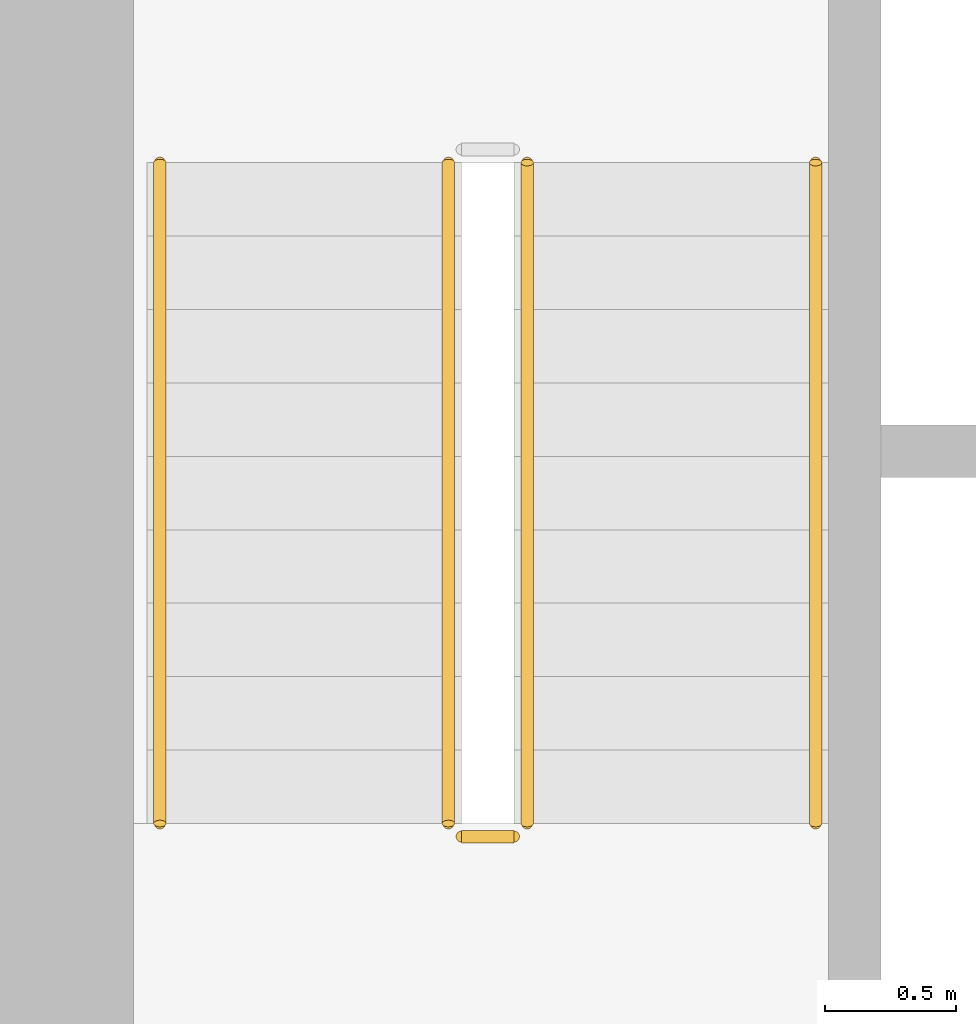
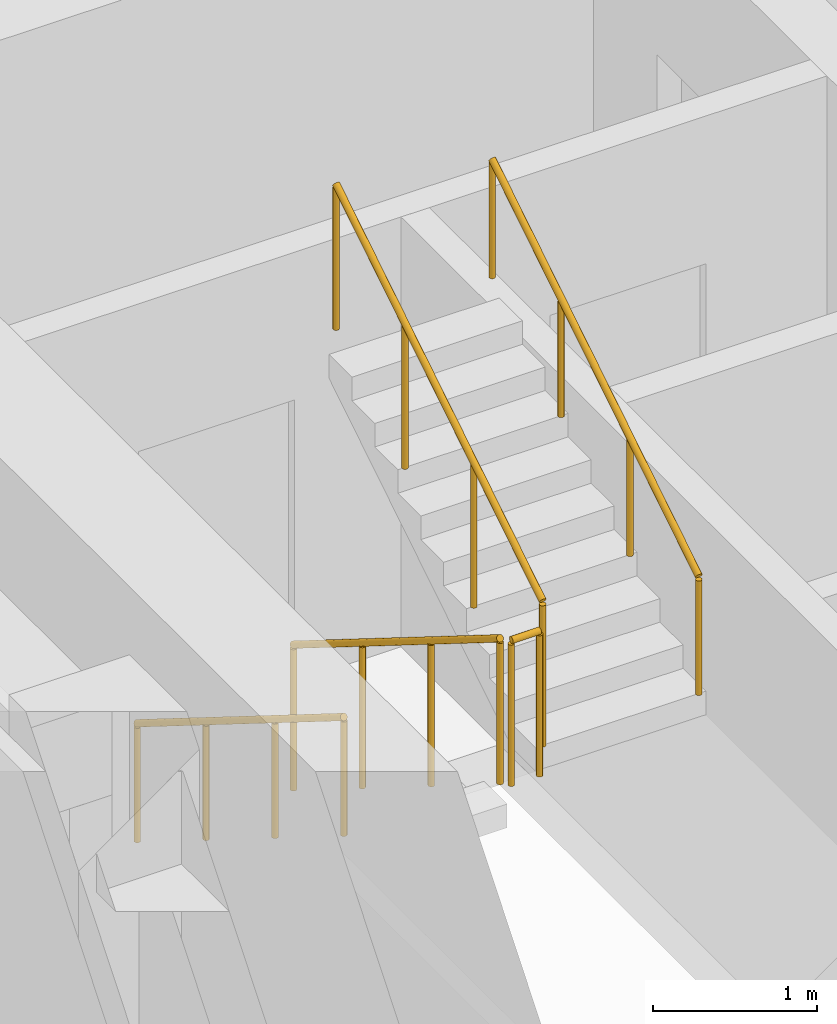
# One storey, part 14 of 21: 5 railings.
"""IFC4 building model written with IfcOpenShell, lengths in metres."""

from ifc_helpers import new_model, si_unit, direction, frame, origin, origin_2d, place, context, subcontext, project, spatial, circle, extrude, material, type_object, element, save


model = new_model("IFC4")

# Units and contexts
model_context = context("Model", 3, precision=1e-05, world=origin(), true_north=direction((0.0, 1.0)))
body_context = subcontext(model_context, "Body", "Model", "MODEL_VIEW")
ifc_project = project(units=[si_unit("LENGTHUNIT", "METRE"), si_unit("AREAUNIT", "SQUARE_METRE"), si_unit("VOLUMEUNIT", "CUBIC_METRE"), si_unit("PLANEANGLEUNIT", "RADIAN"), si_unit("MASSUNIT", "GRAM", prefix="KILO")], contexts=[model_context])

# Site, building, storey
site_placement = place(None, origin())
site = spatial("IfcSite", under=ifc_project, at=site_placement, CompositionType="ELEMENT")
building_placement = place(site_placement, origin())
building = spatial("IfcBuilding", under=site, at=building_placement, Name="Kiln Ring Residences", CompositionType="ELEMENT")
storey_placement = place(building_placement, frame((0.0, 0.0, 223.89990234375)))
storey = spatial("IfcBuildingStorey", under=building, at=storey_placement, Name="L58", CompositionType="ELEMENT", Elevation=223.89990234375)

# Railings
ifc_material_1 = material(Name="Stainless steel", Category="steel")
railing_type_1 = type_object("IfcRailingType", Name="CORE-STAIR-GUARD", PredefinedType="GUARDRAIL", material=ifc_material_1)
railing_1_placement = place(storey_placement, frame((-22.25, 8.39990234375, 0.175048828125)))
element("IfcRailing", 1, at=railing_1_placement, inside=storey, type_object=railing_type_1, Name="L58 W-STN stair guard 1", PredefinedType="GUARDRAIL", context=body_context, shape_type="SweptSolid", body=[
    extrude(circle(Radius=0.02392578125, at=origin_2d()), frame((0.0, 0.0, 1.076171875), z_axis=(0.0, -0.848007534815, 0.529984170421), x_axis=(1.0, 0.0, 0.0)), (0.0, 0.0, 1.0), 2.9716796875),
    extrude(circle(Radius=0.02099609375, at=origin_2d()), origin(), (0.0, 0.0, 1.0), 1.052001953125),
    extrude(circle(Radius=0.02099609375, at=origin_2d()), frame((0.0, -0.840087890625, 0.52490234375)), (0.0, 0.0, 1.0), 1.052001953125),
    extrude(circle(Radius=0.02099609375, at=origin_2d()), frame((0.0, -1.679931640625, 1.050048828125)), (0.0, 0.0, 1.0), 1.052001953125),
    extrude(circle(Radius=0.02099609375, at=origin_2d()), frame((0.0, -2.52001953125, 1.574951171875)), (0.0, 0.0, 1.0), 1.052001953125),
])
railing_2_placement = place(storey_placement, frame((-22.199951171875, 5.830078125, 1.75)))
element("IfcRailing", 2, at=railing_2_placement, inside=storey, type_object=railing_type_1, Name="L58 W-STN stair guard 2", PredefinedType="GUARDRAIL", context=body_context, shape_type="SweptSolid", body=[
    extrude(circle(Radius=0.02392578125, at=origin_2d()), frame((0.0, 0.0, 1.076171875), z_axis=(1.0, 0.0, 0.0), x_axis=(0.0, 1.0, 0.0)), (0.0, 0.0, 1.0), 0.199951171875),
    extrude(circle(Radius=0.02099609375, at=origin_2d()), origin(), (0.0, 0.0, 1.0), 1.052001953125),
    extrude(circle(Radius=0.02099609375, at=origin_2d()), frame((0.199951171875, 0.0, 0.0)), (0.0, 0.0, 1.0), 1.052001953125),
])
railing_3_placement = place(storey_placement, frame((-21.949951171875, 5.8798828125, 1.925048828125)))
element("IfcRailing", 3, at=railing_3_placement, inside=storey, type_object=railing_type_1, Name="L58 W-STN stair guard 3", PredefinedType="GUARDRAIL", context=body_context, shape_type="SweptSolid", body=[
    extrude(circle(Radius=0.02392578125, at=origin_2d()), frame((0.0, 0.0, 1.076171875), z_axis=(0.0, 0.848007534815, 0.529984170421), x_axis=(-1.0, 0.0, 0.0)), (0.0, 0.0, 1.0), 2.9716796875),
    extrude(circle(Radius=0.02099609375, at=origin_2d()), origin(), (0.0, 0.0, 1.0), 1.052001953125),
    extrude(circle(Radius=0.02099609375, at=origin_2d()), frame((0.0, 0.840087890625, 0.52490234375)), (0.0, 0.0, 1.0), 1.052001953125),
    extrude(circle(Radius=0.02099609375, at=origin_2d()), frame((0.0, 1.679931640625, 1.050048828125)), (0.0, 0.0, 1.0), 1.052001953125),
    extrude(circle(Radius=0.02099609375, at=origin_2d()), frame((0.0, 2.52001953125, 1.574951171875)), (0.0, 0.0, 1.0), 1.052001953125),
])
ifc_material_2 = material(Name="Stainless steel", Category="steel")
railing_type_2 = type_object("IfcRailingType", Name="CORE-STAIR-HANDRAIL", PredefinedType="HANDRAIL", material=ifc_material_2)
railing_4_placement = place(storey_placement, frame((-23.35009765625, 8.39990234375, 0.175048828125)))
element("IfcRailing", 4, at=railing_4_placement, inside=storey, type_object=railing_type_2, Name="L58 W-STN stair handrail 1", PredefinedType="HANDRAIL", context=body_context, shape_type="SweptSolid", body=[
    extrude(circle(Radius=0.02392578125, at=origin_2d()), frame((0.0, 0.0, 0.8759765625), z_axis=(0.0, -0.848007534815, 0.529984170421), x_axis=(1.0, 0.0, 0.0)), (0.0, 0.0, 1.0), 2.9716796875),
    extrude(circle(Radius=0.02099609375, at=origin_2d()), origin(), (0.0, 0.0, 1.0), 0.851806640625),
    extrude(circle(Radius=0.02099609375, at=origin_2d()), frame((0.0, -0.840087890625, 0.52490234375)), (0.0, 0.0, 1.0), 0.851806640625),
    extrude(circle(Radius=0.02099609375, at=origin_2d()), frame((0.0, -1.679931640625, 1.050048828125)), (0.0, 0.0, 1.0), 0.851806640625),
    extrude(circle(Radius=0.02099609375, at=origin_2d()), frame((0.0, -2.52001953125, 1.574951171875)), (0.0, 0.0, 1.0), 0.851806640625),
])
railing_5_placement = place(storey_placement, frame((-20.85009765625, 5.8798828125, 1.925048828125)))
element("IfcRailing", 5, at=railing_5_placement, inside=storey, type_object=railing_type_2, Name="L58 W-STN stair handrail 2", PredefinedType="HANDRAIL", context=body_context, shape_type="SweptSolid", body=[
    extrude(circle(Radius=0.02392578125, at=origin_2d()), frame((0.0, 0.0, 0.8759765625), z_axis=(0.0, 0.848007534815, 0.529984170421), x_axis=(-1.0, 0.0, 0.0)), (0.0, 0.0, 1.0), 2.9716796875),
    extrude(circle(Radius=0.02099609375, at=origin_2d()), origin(), (0.0, 0.0, 1.0), 0.851806640625),
    extrude(circle(Radius=0.02099609375, at=origin_2d()), frame((0.0, 0.840087890625, 0.52490234375)), (0.0, 0.0, 1.0), 0.851806640625),
    extrude(circle(Radius=0.02099609375, at=origin_2d()), frame((0.0, 1.679931640625, 1.050048828125)), (0.0, 0.0, 1.0), 0.851806640625),
    extrude(circle(Radius=0.02099609375, at=origin_2d()), frame((0.0, 2.52001953125, 1.574951171875)), (0.0, 0.0, 1.0), 0.851806640625),
])

save(model, "model.ifc")
